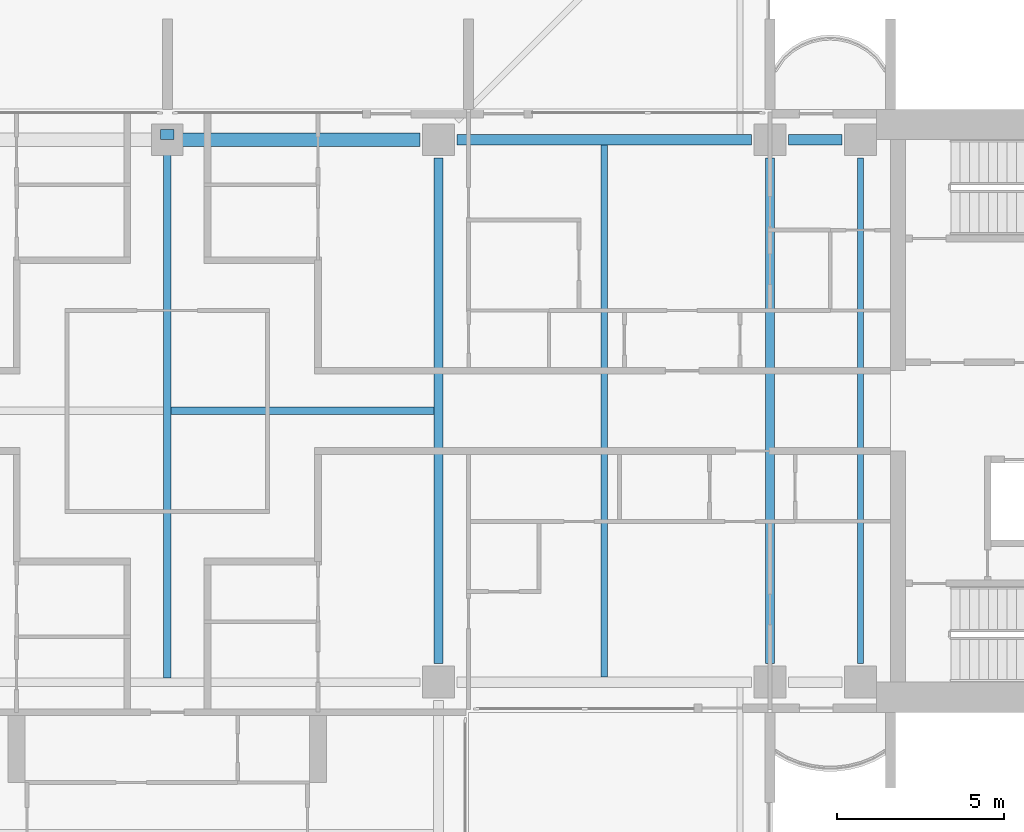
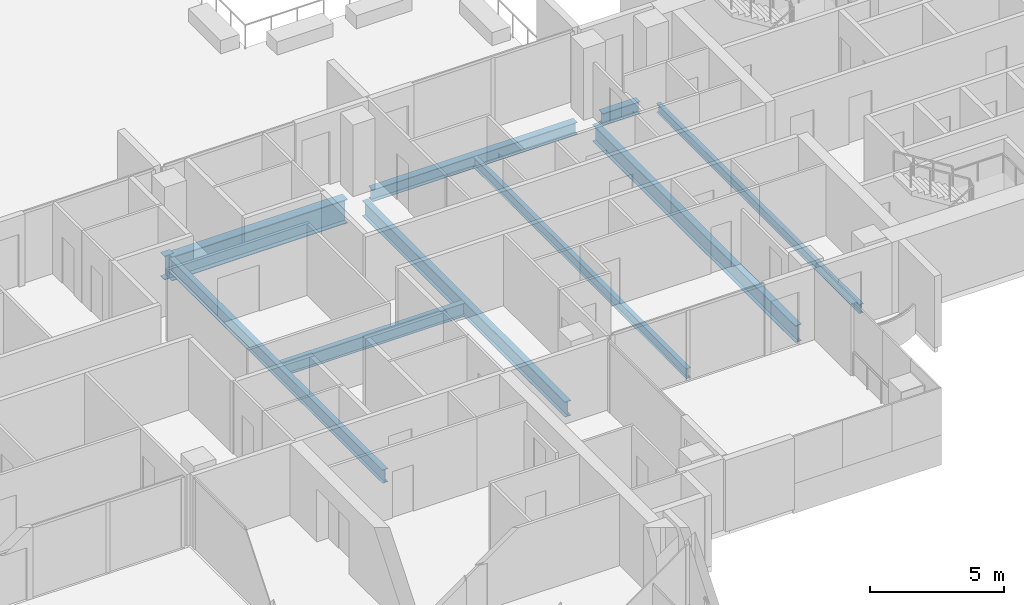
# One storey, part 4 of 18: 10 beams.
"""IFC4 building model written with IfcOpenShell, lengths in metres."""

from ifc_helpers import new_model, si_unit, direction, frame, origin, origin_2d, place, context, subcontext, project, spatial, i_section, extrude, material, material_profile, profile_set, type_object, element, save


model = new_model("IFC4")

# Units and contexts
model_context = context("Model", 3, precision=1e-05, world=origin(), true_north=direction((0.0, 1.0)))
body_context = subcontext(model_context, "Body", "Model", "MODEL_VIEW")
ifc_project = project(units=[si_unit("LENGTHUNIT", "METRE"), si_unit("AREAUNIT", "SQUARE_METRE"), si_unit("VOLUMEUNIT", "CUBIC_METRE"), si_unit("PLANEANGLEUNIT", "RADIAN"), si_unit("MASSUNIT", "GRAM", prefix="KILO")], contexts=[model_context])

# Site, building, storey
site_placement = place(None, origin())
site = spatial("IfcSite", under=ifc_project, at=site_placement, CompositionType="ELEMENT")
building_placement = place(site_placement, origin())
building = spatial("IfcBuilding", under=site, at=building_placement, Name="Perihelion Cross Residences", CompositionType="ELEMENT")
storey_placement = place(building_placement, frame((0.0, 0.0, 166.60009765625)))
storey = spatial("IfcBuildingStorey", under=building, at=storey_placement, Name="L40", CompositionType="ELEMENT", Elevation=166.60009765625)

# Beams
ifc_material_1 = material(Name="Steel S355", Category="steel")
ifc_material_profile_1 = material_profile(ifc_material_1, i_section(OverallWidth=0.180908203125, OverallDepth=0.4169921875, WebThickness=0.010986328125, FlangeThickness=0.018310546875, at=origin_2d()), Name="W410x85")
ifc_profile_set_1 = profile_set([ifc_material_profile_1], Name="Steel S355")
beam_type_1 = type_object("IfcBeamType", Name="Core edge beam W410x85", PredefinedType="BEAM", material=ifc_profile_set_1)
beam_1_placement = place(storey_placement, frame((20.699951171875, -7.550048828125, -0.45849609375), z_axis=(0.0, 1.0, 0.0), x_axis=(-1.0, 0.0, 0.0)))
element("IfcBeam", 1, at=beam_1_placement, inside=storey, type_object=beam_type_1, Name="Core edge beam TB6 L40 no. 2", PredefinedType="BEAM", context=body_context, shape_type="SweptSolid", body=[
    extrude(i_section(OverallWidth=0.180908203125, OverallDepth=0.4169921875, WebThickness=0.010986328125, FlangeThickness=0.018310546875, at=origin_2d()), origin(), (0.0, 0.0, 1.0), 15.10009765625),
])
ifc_material_2 = material(Name="Steel S355", Category="steel")
ifc_material_profile_2 = material_profile(ifc_material_2, i_section(OverallWidth=0.31201171875, OverallDepth=0.5439453125, WebThickness=0.0126953125, FlangeThickness=0.020263671875, at=origin_2d()), Name="W530x150")
ifc_profile_set_2 = profile_set([ifc_material_profile_2], Name="Steel S355")
beam_type_2 = type_object("IfcBeamType", Name="Edge beam W530x150", PredefinedType="SPANDREL", material=ifc_profile_set_2)
beam_2_placement = place(storey_placement, frame((20.14990234375, 8.10009765625, -0.522216796875), z_axis=(-1.0, 0.0, 0.0), x_axis=(0.0, -1.0, 0.0)))
element("IfcBeam", 2, at=beam_2_placement, inside=storey, type_object=beam_type_2, Name="Edge beam SB4 L40 no. 10", PredefinedType="SPANDREL", context=body_context, shape_type="SweptSolid", body=[
    extrude(i_section(OverallWidth=0.31201171875, OverallDepth=0.5439453125, WebThickness=0.0126953125, FlangeThickness=0.020263671875, at=origin_2d()), origin(), (0.0, 0.0, 1.0), 1.599853515625),
])
beam_3_placement = place(storey_placement, frame((17.449951171875, 8.10009765625, -0.522216796875), z_axis=(-1.0, 0.0, 0.0), x_axis=(0.0, -1.0, 0.0)))
element("IfcBeam", 3, at=beam_3_placement, inside=storey, type_object=beam_type_2, Name="Edge beam SB4 L40 no. 9", PredefinedType="SPANDREL", context=body_context, shape_type="SweptSolid", body=[
    extrude(i_section(OverallWidth=0.31201171875, OverallDepth=0.5439453125, WebThickness=0.0126953125, FlangeThickness=0.020263671875, at=origin_2d()), origin(), (0.0, 0.0, 1.0), 8.800048828125),
])
ifc_material_3 = material(Name="Steel S355", Category="steel")
ifc_material_profile_3 = material_profile(ifc_material_3, i_section(OverallWidth=0.26708984375, OverallDepth=0.77001953125, WebThickness=0.015625, FlangeThickness=0.025390625, at=origin_2d()), Name="W760x196")
ifc_profile_set_3 = profile_set([ifc_material_profile_3], Name="Steel S355")
beam_type_3 = type_object("IfcBeamType", Name="Floor girder W760x196", PredefinedType="BEAM", material=ifc_profile_set_3)
beam_4_placement = place(storey_placement, frame((18.0, -7.550048828125, -0.635009765625), z_axis=(0.0, 1.0, 0.0), x_axis=(-1.0, 0.0, 0.0)))
element("IfcBeam", 4, at=beam_4_placement, inside=storey, type_object=beam_type_3, Name="Girder G4 L40 no. 2", PredefinedType="BEAM", context=body_context, shape_type="SweptSolid", body=[
    extrude(i_section(OverallWidth=0.26708984375, OverallDepth=0.77001953125, WebThickness=0.015625, FlangeThickness=0.025390625, at=origin_2d()), origin(), (0.0, 0.0, 1.0), 15.10009765625),
])
ifc_material_4 = material(Name="Steel S355", Category="steel")
ifc_material_profile_4 = material_profile(ifc_material_4, i_section(OverallWidth=0.19091796875, OverallDepth=0.45703125, WebThickness=0.009033203125, FlangeThickness=0.014404296875, at=origin_2d()), Name="W460x74")
ifc_profile_set_4 = profile_set([ifc_material_profile_4], Name="Steel S355")
beam_type_4 = type_object("IfcBeamType", Name="Floor joist W460x74", PredefinedType="JOIST", material=ifc_profile_set_4)
beam_5_placement = place(storey_placement, frame((13.050048828125, -7.944091796875, -0.478515625), z_axis=(0.0, 1.0, 0.0), x_axis=(-1.0, 0.0, 0.0)))
element("IfcBeam", 5, at=beam_5_placement, inside=storey, type_object=beam_type_4, Name="Joist J5 L40 no. 2", PredefinedType="JOIST", context=body_context, shape_type="SweptSolid", body=[
    extrude(i_section(OverallWidth=0.19091796875, OverallDepth=0.45703125, WebThickness=0.009033203125, FlangeThickness=0.014404296875, at=origin_2d()), origin(), (0.0, 0.0, 1.0), 15.88818359375),
])
ifc_material_5 = material(Name="Steel S355", Category="steel")
ifc_material_profile_5 = material_profile(ifc_material_5, i_section(OverallWidth=0.22900390625, OverallDepth=0.612060546875, WebThickness=0.011962890625, FlangeThickness=0.01953125, at=origin_2d()), Name="W610x125")
ifc_profile_set_5 = profile_set([ifc_material_profile_5], Name="Steel S355")
beam_type_5 = type_object("IfcBeamType", Name="Hub cross beam W610x125", PredefinedType="BEAM", material=ifc_profile_set_5)
beam_6_placement = place(storey_placement, frame((0.0, -7.971435546875, -0.55615234375), z_axis=(0.0, 1.0, 0.0), x_axis=(-1.0, 0.0, 0.0)))
element("IfcBeam", 6, at=beam_6_placement, inside=storey, type_object=beam_type_5, Name="Hub cross beam XB4 L40 no. 1", PredefinedType="BEAM", context=body_context, shape_type="SweptSolid", body=[
    extrude(i_section(OverallWidth=0.22900390625, OverallDepth=0.612060546875, WebThickness=0.011962890625, FlangeThickness=0.01953125, at=origin_2d()), origin(), (0.0, 0.0, 1.0), 15.870849609375),
])
beam_7_placement = place(storey_placement, frame((0.114501953125, 0.0, -0.55615234375), z_axis=(1.0, 0.0, 0.0), x_axis=(0.0, 1.0, 0.0)))
element("IfcBeam", 7, at=beam_7_placement, inside=storey, type_object=beam_type_5, Name="Hub cross beam XB4 L40 2 no. 1", PredefinedType="BEAM", context=body_context, shape_type="SweptSolid", body=[
    extrude(i_section(OverallWidth=0.22900390625, OverallDepth=0.612060546875, WebThickness=0.011962890625, FlangeThickness=0.01953125, at=origin_2d()), origin(), (0.0, 0.0, 1.0), 7.85693359375),
])
ifc_material_6 = material(Name="Steel S355", Category="steel")
ifc_material_profile_6 = material_profile(ifc_material_6, i_section(OverallWidth=0.257080078125, OverallDepth=0.693115234375, WebThickness=0.014404296875, FlangeThickness=0.023681640625, at=origin_2d()), Name="W690x170")
ifc_profile_set_6 = profile_set([ifc_material_profile_6], Name="Steel S355")
beam_type_6 = type_object("IfcBeamType", Name="Hub ring girder W690x170", PredefinedType="BEAM", material=ifc_profile_set_6)
beam_8_placement = place(storey_placement, frame((8.10009765625, -7.550048828125, -0.5966796875), z_axis=(0.0, 1.0, 0.0), x_axis=(-1.0, 0.0, 0.0)))
element("IfcBeam", 8, at=beam_8_placement, inside=storey, type_object=beam_type_6, Name="Hub ring girder RG4 L40 no. 3", PredefinedType="BEAM", context=body_context, shape_type="SweptSolid", body=[
    extrude(i_section(OverallWidth=0.257080078125, OverallDepth=0.693115234375, WebThickness=0.014404296875, FlangeThickness=0.023681640625, at=origin_2d()), origin(), (0.0, 0.0, 1.0), 15.10009765625),
])
ifc_material_7 = material(Name="Steel S355", Category="steel")
ifc_material_profile_7 = material_profile(ifc_material_7, i_section(OverallWidth=0.40087890625, OverallDepth=1.090087890625, WebThickness=0.01806640625, FlangeThickness=0.031005859375, at=origin_2d()), Name="W1100x343")
ifc_profile_set_7 = profile_set([ifc_material_profile_7], Name="Steel S355")
beam_type_7 = type_object("IfcBeamType", Name="Transfer girder W1100x343", PredefinedType="BEAM", material=ifc_profile_set_7)
beam_9_placement = place(storey_placement, frame((7.550048828125, 8.10009765625, -0.795166015625), z_axis=(-1.0, 0.0, 0.0), x_axis=(0.0, -1.0, 0.0)))
element("IfcBeam", 9, at=beam_9_placement, inside=storey, type_object=beam_type_7, Name="Hub ring girder TG1 L40 no. 2", PredefinedType="BEAM", context=body_context, shape_type="SweptSolid", body=[
    extrude(i_section(OverallWidth=0.40087890625, OverallDepth=1.090087890625, WebThickness=0.01806640625, FlangeThickness=0.031005859375, at=origin_2d()), origin(), (0.0, 0.0, 1.0), 7.550048828125),
])
beam_10_placement = place(storey_placement, frame((0.0, 8.39990234375, -0.795166015625), z_axis=(0.0, -1.0, 0.0), x_axis=(1.0, 0.0, 0.0)))
element("IfcBeam", 10, at=beam_10_placement, inside=storey, type_object=beam_type_7, Name="Girder TG1 L40 transfer no. 1", PredefinedType="BEAM", context=body_context, shape_type="SweptSolid", body=[
    extrude(i_section(OverallWidth=0.40087890625, OverallDepth=1.090087890625, WebThickness=0.01806640625, FlangeThickness=0.031005859375, at=origin_2d()), origin(), (0.0, 0.0, 1.0), 0.2998046875),
])

save(model, "model.ifc")
